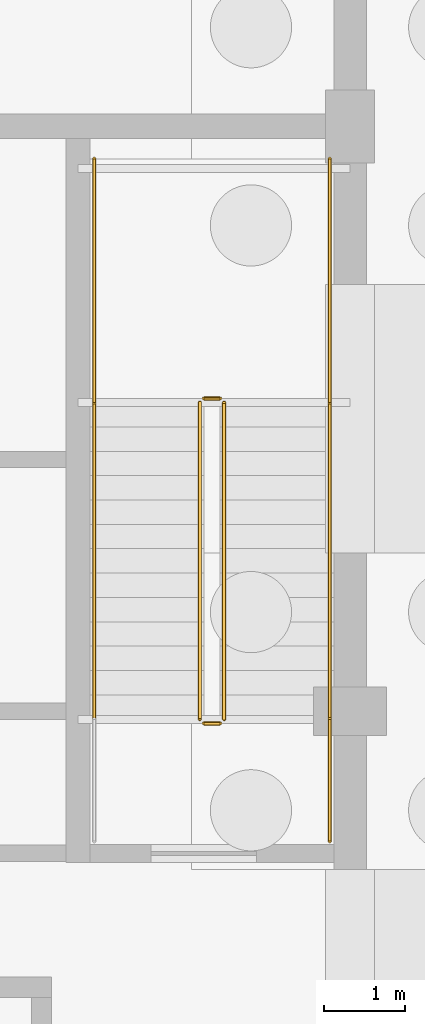
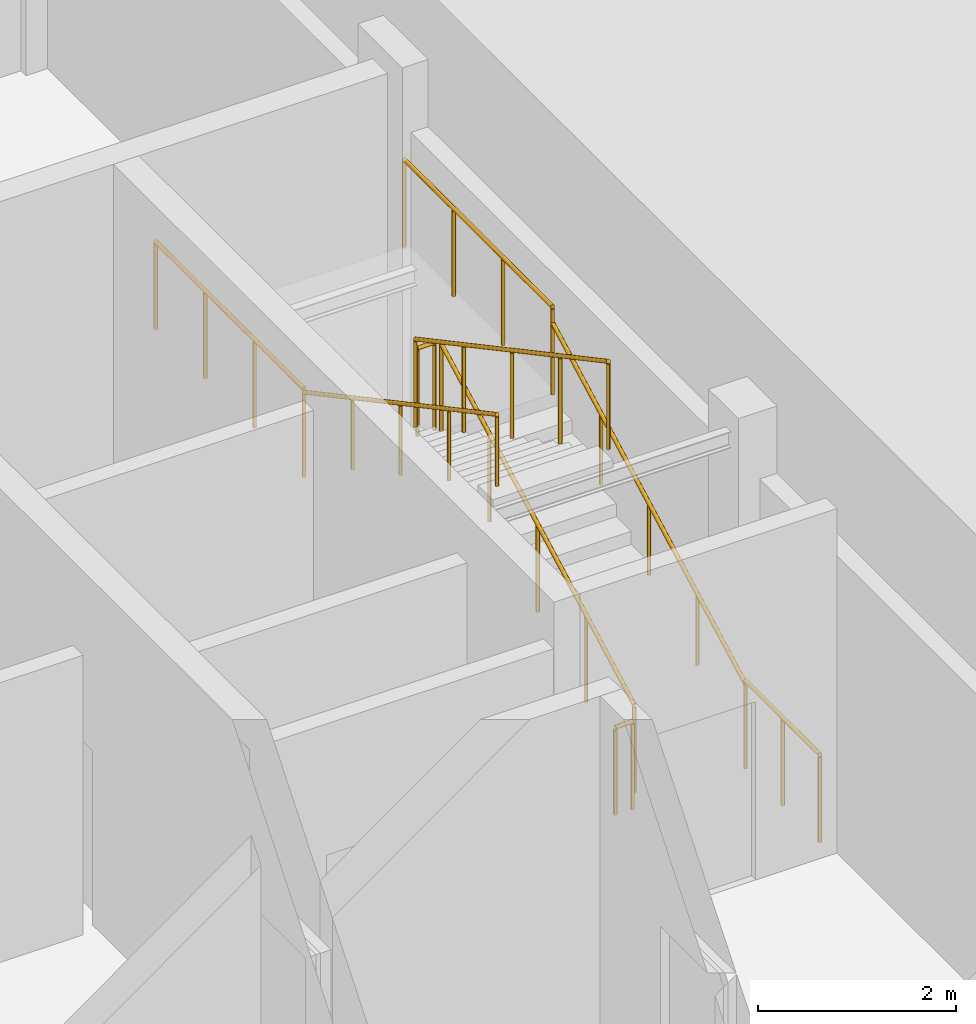
# One storey, part 46 of 51: 9 railings.
"""IFC4 building model written with IfcOpenShell, lengths in metres."""

from ifc_helpers import new_model, si_unit, direction, frame, origin, origin_2d, place, context, subcontext, project, spatial, circle, extrude, material, type_object, element, save


model = new_model("IFC4")

# Units and contexts
model_context = context("Model", 3, precision=1e-05, world=origin(), true_north=direction((0.0, 1.0)))
body_context = subcontext(model_context, "Body", "Model", "MODEL_VIEW")
ifc_project = project(units=[si_unit("LENGTHUNIT", "METRE"), si_unit("AREAUNIT", "SQUARE_METRE"), si_unit("VOLUMEUNIT", "CUBIC_METRE"), si_unit("PLANEANGLEUNIT", "RADIAN"), si_unit("MASSUNIT", "GRAM", prefix="KILO")], contexts=[model_context])

# Site, building, storey
site_placement = place(None, origin())
site = spatial("IfcSite", under=ifc_project, at=site_placement, CompositionType="ELEMENT")
building_placement = place(site_placement, origin())
building = spatial("IfcBuilding", under=site, at=building_placement, Name="Zlatovets Crest Museum", CompositionType="ELEMENT")
storey_placement = place(building_placement, frame((0.0, 0.0, -4.5)))
storey = spatial("IfcBuildingStorey", under=building, at=storey_placement, Name="B1", CompositionType="ELEMENT", Elevation=-4.5)

# Railings
ifc_material_1 = material(Name="Painted steel safety guardrail", Category="steel")
railing_type_1 = type_object("IfcRailingType", Name="StairGuard_SG01", PredefinedType="GUARDRAIL", material=ifc_material_1)
railing_1_placement = place(storey_placement, frame((106.449951171875, 100.699951171875, 0.16064453125)))
element("IfcRailing", 1, at=railing_1_placement, inside=storey, type_object=railing_type_1, Name="B1 ST7 stair guard 1", PredefinedType="GUARDRAIL", context=body_context, shape_type="SweptSolid", body=[
    extrude(circle(Radius=0.02392578125, at=origin_2d()), frame((0.0, 0.0, 1.076171875), z_axis=(0.0, 0.881480790326, 0.47221988129), x_axis=(-1.0, 0.0, 0.0)), (0.0, 0.0, 1.0), 4.424560546875),
    extrude(circle(Radius=0.02099609375, at=origin_2d()), origin(), (0.0, 0.0, 1.0), 1.052001953125),
    extrude(circle(Radius=0.02099609375, at=origin_2d()), frame((0.0, 0.97509765625, 0.5224609375)), (0.0, 0.0, 1.0), 1.052001953125),
    extrude(circle(Radius=0.02099609375, at=origin_2d()), frame((0.0, 1.9501953125, 1.044677734375)), (0.0, 0.0, 1.0), 1.052001953125),
    extrude(circle(Radius=0.02099609375, at=origin_2d()), frame((0.0, 2.925048828125, 1.56689453125)), (0.0, 0.0, 1.0), 1.052001953125),
    extrude(circle(Radius=0.02099609375, at=origin_2d()), frame((0.0, 3.900146484375, 2.08935546875)), (0.0, 0.0, 1.0), 1.052001953125),
])
railing_2_placement = place(storey_placement, frame((106.39990234375, 104.64990234375, 2.25)))
element("IfcRailing", 2, at=railing_2_placement, inside=storey, type_object=railing_type_1, Name="B1 ST7 stair guard 2", PredefinedType="GUARDRAIL", context=body_context, shape_type="SweptSolid", body=[
    extrude(circle(Radius=0.02392578125, at=origin_2d()), frame((0.0, 0.0, 1.076171875), z_axis=(-1.0, 0.0, 0.0), x_axis=(0.0, -1.0, 0.0)), (0.0, 0.0, 1.0), 0.199951171875),
    extrude(circle(Radius=0.02099609375, at=origin_2d()), origin(), (0.0, 0.0, 1.0), 1.052001953125),
    extrude(circle(Radius=0.02099609375, at=origin_2d()), frame((-0.199951171875, 0.0, 0.0)), (0.0, 0.0, 1.0), 1.052001953125),
])
for number, where, name in (
    (3, (107.75, 104.60009765625, 2.25), "B1 ST7 stair guard 3"),
    (4, (104.85009765625, 104.60009765625, 2.25), "B1 ST7 stair guard 4"),
):
    element("IfcRailing", number, at=place(storey_placement, frame(where)), inside=storey, type_object=railing_type_1, Name=name, PredefinedType="GUARDRAIL", context=body_context, shape_type="SweptSolid", body=[
        extrude(circle(Radius=0.02392578125, at=origin_2d()), frame((0.0, 0.0, 1.076171875), z_axis=(0.0, 1.0, 0.0), x_axis=(-1.0, 0.0, 0.0)), (0.0, 0.0, 1.0), 3.0),
        extrude(circle(Radius=0.02099609375, at=origin_2d()), origin(), (0.0, 0.0, 1.0), 1.052001953125),
        extrude(circle(Radius=0.02099609375, at=origin_2d()), frame((0.0, 1.0, 0.0)), (0.0, 0.0, 1.0), 1.052001953125),
        extrude(circle(Radius=0.02099609375, at=origin_2d()), frame((0.0, 2.0, 0.0)), (0.0, 0.0, 1.0), 1.052001953125),
        extrude(circle(Radius=0.02099609375, at=origin_2d()), frame((0.0, 3.0, 0.0)), (0.0, 0.0, 1.0), 1.052001953125),
    ])
railing_3_placement = place(storey_placement, frame((106.14990234375, 104.60009765625, 2.41064453125)))
element("IfcRailing", 5, at=railing_3_placement, inside=storey, type_object=railing_type_1, Name="B1 ST7 stair guard 5", PredefinedType="GUARDRAIL", context=body_context, shape_type="SweptSolid", body=[
    extrude(circle(Radius=0.02392578125, at=origin_2d()), frame((0.0, 0.0, 1.076171875), z_axis=(0.0, -0.881480790326, 0.47221988129), x_axis=(1.0, 0.0, 0.0)), (0.0, 0.0, 1.0), 4.424560546875),
    extrude(circle(Radius=0.02099609375, at=origin_2d()), origin(), (0.0, 0.0, 1.0), 1.052001953125),
    extrude(circle(Radius=0.02099609375, at=origin_2d()), frame((0.0, -0.97509765625, 0.5224609375)), (0.0, 0.0, 1.0), 1.052001953125),
    extrude(circle(Radius=0.02099609375, at=origin_2d()), frame((0.0, -1.9501953125, 1.044677734375)), (0.0, 0.0, 1.0), 1.052001953125),
    extrude(circle(Radius=0.02099609375, at=origin_2d()), frame((0.0, -2.925048828125, 1.56689453125)), (0.0, 0.0, 1.0), 1.052001953125),
    extrude(circle(Radius=0.02099609375, at=origin_2d()), frame((0.0, -3.900146484375, 2.08935546875)), (0.0, 0.0, 1.0), 1.052001953125),
])
railing_4_placement = place(storey_placement, frame((106.39990234375, 100.64990234375, 0.0)))
element("IfcRailing", 6, at=railing_4_placement, inside=storey, type_object=railing_type_1, Name="B1 ST7 stair guard 6", PredefinedType="GUARDRAIL", context=body_context, shape_type="SweptSolid", body=[
    extrude(circle(Radius=0.02392578125, at=origin_2d()), frame((0.0, 0.0, 1.076171875), z_axis=(-1.0, 0.0, 0.0), x_axis=(0.0, -1.0, 0.0)), (0.0, 0.0, 1.0), 0.199951171875),
    extrude(circle(Radius=0.02099609375, at=origin_2d()), origin(), (0.0, 0.0, 1.0), 1.052001953125),
    extrude(circle(Radius=0.02099609375, at=origin_2d()), frame((-0.199951171875, 0.0, 0.0)), (0.0, 0.0, 1.0), 1.052001953125),
])
railing_5_placement = place(storey_placement, frame((107.75, 99.199951171875, 0.0)))
element("IfcRailing", 7, at=railing_5_placement, inside=storey, type_object=railing_type_1, Name="B1 ST7 stair guard 7", PredefinedType="GUARDRAIL", context=body_context, shape_type="SweptSolid", body=[
    extrude(circle(Radius=0.02392578125, at=origin_2d()), frame((0.0, 0.0, 1.076171875), z_axis=(0.0, 1.0, 0.0), x_axis=(-1.0, 0.0, 0.0)), (0.0, 0.0, 1.0), 1.5),
    extrude(circle(Radius=0.02099609375, at=origin_2d()), origin(), (0.0, 0.0, 1.0), 1.052001953125),
    extrude(circle(Radius=0.02099609375, at=origin_2d()), frame((0.0, 0.75, 0.0)), (0.0, 0.0, 1.0), 1.052001953125),
    extrude(circle(Radius=0.02099609375, at=origin_2d()), frame((0.0, 1.5, 0.0)), (0.0, 0.0, 1.0), 1.052001953125),
])
ifc_material_2 = material(Name="Brushed bronze stair handrail")
railing_type_2 = type_object("IfcRailingType", Name="StairHandrail_SH01", PredefinedType="HANDRAIL", material=ifc_material_2)
railing_6_placement = place(storey_placement, frame((107.75, 100.699951171875, 0.16064453125)))
element("IfcRailing", 8, at=railing_6_placement, inside=storey, type_object=railing_type_2, Name="B1 ST7 stair handrail 1", PredefinedType="HANDRAIL", context=body_context, shape_type="SweptSolid", body=[
    extrude(circle(Radius=0.02392578125, at=origin_2d()), frame((0.0, 0.0, 0.8759765625), z_axis=(0.0, 0.881480790326, 0.47221988129), x_axis=(-1.0, 0.0, 0.0)), (0.0, 0.0, 1.0), 4.424560546875),
    extrude(circle(Radius=0.02099609375, at=origin_2d()), origin(), (0.0, 0.0, 1.0), 0.851806640625),
    extrude(circle(Radius=0.02099609375, at=origin_2d()), frame((0.0, 0.97509765625, 0.5224609375)), (0.0, 0.0, 1.0), 0.851806640625),
    extrude(circle(Radius=0.02099609375, at=origin_2d()), frame((0.0, 1.9501953125, 1.044677734375)), (0.0, 0.0, 1.0), 0.851806640625),
    extrude(circle(Radius=0.02099609375, at=origin_2d()), frame((0.0, 2.925048828125, 1.56689453125)), (0.0, 0.0, 1.0), 0.851806640625),
    extrude(circle(Radius=0.02099609375, at=origin_2d()), frame((0.0, 3.900146484375, 2.08935546875)), (0.0, 0.0, 1.0), 0.851806640625),
])
railing_7_placement = place(storey_placement, frame((104.85009765625, 104.60009765625, 2.41064453125)))
element("IfcRailing", 9, at=railing_7_placement, inside=storey, type_object=railing_type_2, Name="B1 ST7 stair handrail 2", PredefinedType="HANDRAIL", context=body_context, shape_type="SweptSolid", body=[
    extrude(circle(Radius=0.02392578125, at=origin_2d()), frame((0.0, 0.0, 0.8759765625), z_axis=(0.0, -0.881480790326, 0.47221988129), x_axis=(1.0, 0.0, 0.0)), (0.0, 0.0, 1.0), 4.424560546875),
    extrude(circle(Radius=0.02099609375, at=origin_2d()), origin(), (0.0, 0.0, 1.0), 0.851806640625),
    extrude(circle(Radius=0.02099609375, at=origin_2d()), frame((0.0, -0.97509765625, 0.5224609375)), (0.0, 0.0, 1.0), 0.851806640625),
    extrude(circle(Radius=0.02099609375, at=origin_2d()), frame((0.0, -1.9501953125, 1.044677734375)), (0.0, 0.0, 1.0), 0.851806640625),
    extrude(circle(Radius=0.02099609375, at=origin_2d()), frame((0.0, -2.925048828125, 1.56689453125)), (0.0, 0.0, 1.0), 0.851806640625),
    extrude(circle(Radius=0.02099609375, at=origin_2d()), frame((0.0, -3.900146484375, 2.08935546875)), (0.0, 0.0, 1.0), 0.851806640625),
])

save(model, "model.ifc")
